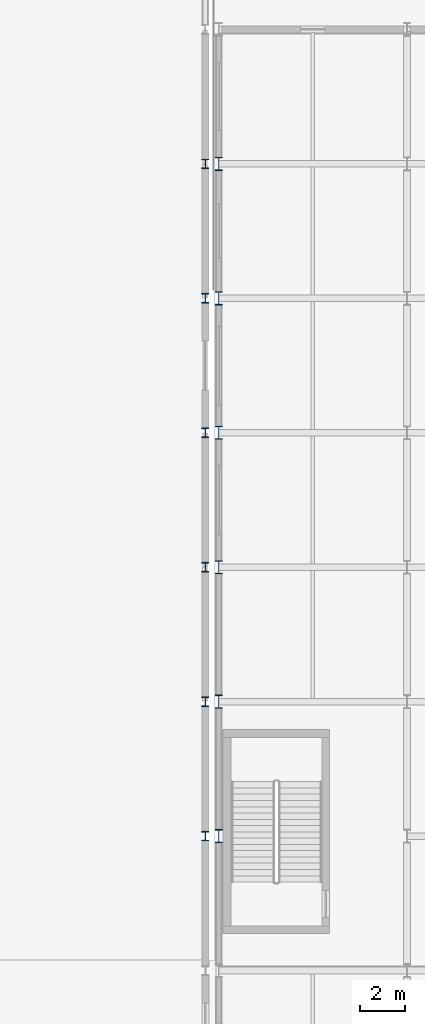
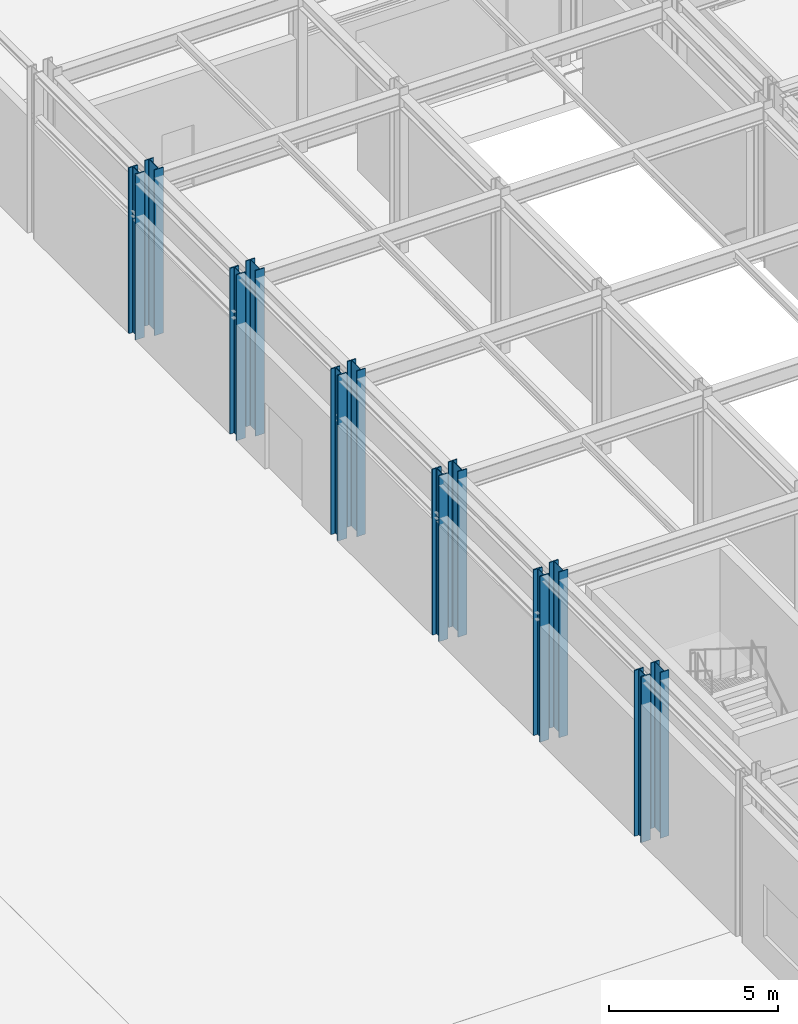
# One storey, part 11 of 146: 12 columns.
"""IFC4 building model written with IfcOpenShell, lengths in metres."""

import ifcopenshell
import ifcopenshell.guid

model = None  # the IFC model being written
_history = None  # IfcOwnerHistory: only IFC2X3 demands one
_inside = {}  # id of a spatial element -> (the spatial element, [elements in it])
_under = {}  # id of a project, library or spatial element -> (it, [spatial elements below it])
_declared = {}  # id of a project -> (the project, [libraries it declares])
_typed = {}  # id of a type object -> (the type object, [elements of that type])
_made_of = {}  # id of a material, layer set ... -> (it, [elements and type objects made of it])


def new_model(schema):
    """Start an empty IFC model of exactly this schema.

    Asked for "IFC4X3", IfcOpenShell would pick the latest addendum, in which some entities
    have other attributes; the version numbers below select the first issue.
    IFC2X3 requires an IfcOwnerHistory on every rooted entity: one is made here for all.
    """
    global model, _history
    if schema == "IFC4X3":
        model = ifcopenshell.file(schema_version=(4, 3, 0, 0))
    else:
        model = ifcopenshell.file(schema=schema)
    _inside.clear()
    _under.clear()
    _declared.clear()
    _typed.clear()
    _made_of.clear()
    _history = None
    if model.schema == "IFC2X3":
        org = make("IfcOrganization", Name="unknown")
        user = make(
            "IfcPersonAndOrganization",
            ThePerson=make("IfcPerson", FamilyName="unknown"),
            TheOrganization=org,
        )
        app = make(
            "IfcApplication",
            ApplicationDeveloper=org,
            Version="unknown",
            ApplicationFullName="unknown",
            ApplicationIdentifier="unknown",
        )
        _history = make(
            "IfcOwnerHistory",
            OwningUser=user,
            OwningApplication=app,
            ChangeAction="ADDED",
            CreationDate=0,
        )
    return model


def make(cls, **values):
    """One entity of the class cls with the attributes given. An attribute that is None is left unset."""
    return model.create_entity(
        cls, **{name: value for name, value in values.items() if value is not None}
    )


def rooted(cls, **values):
    """An entity with a GlobalId (a new one), such as an element, a storey or a relation."""
    return make(cls, GlobalId=ifcopenshell.guid.new(), OwnerHistory=_history, **values)


def si_unit(unit_type, name, prefix=None):
    """IfcSIUnit, for example si_unit("LENGTHUNIT", "METRE", prefix="MILLI")."""
    return make("IfcSIUnit", UnitType=unit_type, Prefix=prefix, Name=name)


def assignment(units):
    """IfcUnitAssignment: the units of a project."""
    return None if units is None else make("IfcUnitAssignment", Units=units)


def point(xyz):
    """IfcCartesianPoint."""
    return None if xyz is None else make("IfcCartesianPoint", Coordinates=xyz)


def direction(xyz):
    """IfcDirection."""
    return None if xyz is None else make("IfcDirection", DirectionRatios=xyz)


def frame(location, z_axis=None, x_axis=None):
    """IfcAxis2Placement3D, a coordinate frame: its origin and axes. An axis left out is left unset."""
    return make(
        "IfcAxis2Placement3D",
        Location=point(location),
        Axis=direction(z_axis),
        RefDirection=direction(x_axis),
    )


def frame_2d(location, x_axis=None):
    """IfcAxis2Placement2D, a coordinate frame in the plane: its origin and x axis."""
    return make(
        "IfcAxis2Placement2D", Location=point(location), RefDirection=direction(x_axis)
    )


def origin():
    """The frame at (0, 0, 0) with its axes left unset."""
    return frame((0.0, 0.0, 0.0))


def origin_2d():
    """The frame at (0, 0) in the plane with its x axis left unset."""
    return frame_2d((0.0, 0.0))


def place(relative_to, where):
    """IfcLocalPlacement: puts the frame where relative to a parent placement (None: the world)."""
    return make(
        "IfcLocalPlacement", PlacementRelTo=relative_to, RelativePlacement=where
    )


def context(
    kind, dimensions, precision=None, world=None, true_north=None, identifier=None
):
    """IfcGeometricRepresentationContext, for example the 3D "Model" context."""
    return make(
        "IfcGeometricRepresentationContext",
        ContextIdentifier=identifier,
        ContextType=kind,
        CoordinateSpaceDimension=dimensions,
        Precision=precision,
        WorldCoordinateSystem=world,
        TrueNorth=true_north,
    )


def subcontext(parent, identifier, kind, view, scale=None):
    """IfcGeometricRepresentationSubContext, for example "Body" below "Model"."""
    return make(
        "IfcGeometricRepresentationSubContext",
        ContextIdentifier=identifier,
        ContextType=kind,
        ParentContext=parent,
        TargetScale=scale,
        TargetView=view,
    )


def project(units=None, contexts=None):
    """IfcProject with its units and contexts."""
    return rooted(
        "IfcProject",
        Name="project",
        RepresentationContexts=contexts,
        UnitsInContext=assignment(units),
    )


def spatial(cls, under=None, at=None, **own):
    """A site, building, storey or space (cls), placed at a placement, below another one or the project."""
    s = rooted(cls, ObjectPlacement=at, **own)
    if under is not None:
        _under.setdefault(under.id(), (under, []))[1].append(s)
    return s


def profile(cls, at=None, kind="AREA", **sizes):
    """A parametric profile (cls). Its sizes go by their IFC names, for example OverallWidth=200.0."""
    return make(cls, ProfileType=kind, Position=at, **sizes)


def i_section(**sizes):
    """IfcIShapeProfileDef."""
    return profile("IfcIShapeProfileDef", **sizes)


def extrude(swept, where, along, depth):
    """IfcExtrudedAreaSolid: the profile swept, set in the frame where, extruded along a direction by depth."""
    return make(
        "IfcExtrudedAreaSolid",
        SweptArea=swept,
        Position=where,
        ExtrudedDirection=direction(along),
        Depth=depth,
    )


def shape(context_of_items, identifier, shape_type, items):
    """IfcShapeRepresentation: the items that make up one representation, for example the "Body"."""
    return make(
        "IfcShapeRepresentation",
        ContextOfItems=context_of_items,
        RepresentationIdentifier=identifier,
        RepresentationType=shape_type,
        Items=items,
    )


def material(Name=None, Category=None):
    """IfcMaterial."""
    return make("IfcMaterial", Name=Name, Category=Category)


def material_profile(
    of_material, cross_section, Name=None, Category=None, Priority=None
):
    """IfcMaterialProfile: a cross section and its material."""
    return make(
        "IfcMaterialProfile",
        Name=Name,
        Material=of_material,
        Profile=cross_section,
        Priority=Priority,
        Category=Category,
    )


def profile_set(profiles, Name=None, composite=None):
    """IfcMaterialProfileSet."""
    return make(
        "IfcMaterialProfileSet",
        Name=Name,
        MaterialProfiles=profiles,
        CompositeProfile=composite,
    )


def made_of(thing, what):
    """Note that an element or type object is made of a material, layer set ...; save() writes the relation."""
    if what is not None:
        _made_of.setdefault(what.id(), (what, []))[1].append(thing)
    return thing


def type_object(cls, material=None, **own):
    """A type object (cls), such as IfcWallType, which elements share."""
    return made_of(rooted(cls, **own), material)


def element(
    cls,
    number,
    at=None,
    inside=None,
    cuts=None,
    type_object=None,
    material=None,
    context=None,
    identifier="Body",
    shape_type=None,
    held_by="IfcProductDefinitionShape",
    body=None,
    shapes=None,
    **own,
):
    """One element of the class cls, such as IfcWall. Its Tag is "e" and its number.

    at: its placement. inside: the storey or other place that contains it. cuts: it is an
    opening in that element (IfcRelVoidsElement). A single representation is given by context,
    identifier, shape_type and body (its items); several are given by shapes. held_by: the class
    of the entity that holds the representations. save() writes the other relations.
    """
    e = rooted(cls, Tag="e%d" % number, ObjectPlacement=at, **own)
    if body is not None:
        shapes = [shape(context, identifier, shape_type, body)]
    if shapes is not None:
        e.Representation = make(held_by, Representations=shapes)
    if inside is not None:
        _inside.setdefault(inside.id(), (inside, []))[1].append(e)
    if cuts is not None:
        rooted(
            "IfcRelVoidsElement", RelatingBuildingElement=cuts, RelatedOpeningElement=e
        )
    if type_object is not None:
        _typed.setdefault(type_object.id(), (type_object, []))[1].append(e)
    return made_of(e, material)


def aggregate(whole, parts):
    """IfcRelAggregates: a whole, such as a stair, and the parts it consists of."""
    return rooted("IfcRelAggregates", RelatingObject=whole, RelatedObjects=parts)


def save(model, path):
    """Write the relations noted so far, then the file.

    IfcRelAggregates (storeys below a building ...), IfcRelContainedInSpatialStructure (elements
    in a storey), IfcRelDefinesByType, IfcRelAssociatesMaterial and IfcRelDeclares: one each for
    every whole, place, type object, material and project.
    """
    for whole, parts in _under.values():
        aggregate(whole, parts)
    for where, things in _inside.values():
        rooted(
            "IfcRelContainedInSpatialStructure",
            RelatedElements=things,
            RelatingStructure=where,
        )
    for kind, things in _typed.values():
        rooted("IfcRelDefinesByType", RelatedObjects=things, RelatingType=kind)
    for what, things in _made_of.values():
        rooted("IfcRelAssociatesMaterial", RelatedObjects=things, RelatingMaterial=what)
    for by, libraries in _declared.values():
        rooted("IfcRelDeclares", RelatingContext=by, RelatedDefinitions=libraries)
    model.write(path)


model = new_model("IFC4")

# Units and contexts
model_context = context("Model", 3, precision=1e-05, world=origin(), true_north=direction((0.0, 1.0)))
body_context = subcontext(model_context, "Body", "Model", "MODEL_VIEW")
ifc_project = project(units=[si_unit("LENGTHUNIT", "METRE"), si_unit("AREAUNIT", "SQUARE_METRE"), si_unit("VOLUMEUNIT", "CUBIC_METRE"), si_unit("PLANEANGLEUNIT", "RADIAN"), si_unit("MASSUNIT", "GRAM", prefix="KILO")], contexts=[model_context])

# Site, building, storey
site_placement = place(None, origin())
site = spatial("IfcSite", under=ifc_project, at=site_placement, CompositionType="ELEMENT")
building_placement = place(site_placement, origin())
building = spatial("IfcBuilding", under=site, at=building_placement, Name="Kaldris Quays Convention Centre", CompositionType="ELEMENT")
storey_placement = place(building_placement, origin())
storey = spatial("IfcBuildingStorey", under=building, at=storey_placement, Name="L00", CompositionType="ELEMENT", Elevation=0.0)

# Columns
ifc_material_1 = material(Name="Steel S460ML", Category="steel")
ifc_material_profile_1 = material_profile(ifc_material_1, i_section(OverallWidth=0.306884765625, OverallDepth=0.431884765625, WebThickness=0.02099609375, FlangeThickness=0.0400390625, FilletRadius=0.027099609375, at=origin_2d()), Name="HEM 400")
ifc_profile_set_1 = profile_set([ifc_material_profile_1], Name="Steel S460ML")
column_type_1 = type_object("IfcColumnType", Name="STRUCTURAL COLUMN CL01", PredefinedType="COLUMN", material=ifc_profile_set_1)
for number, where, z_axis, x_axis, name in (
    (1, (146.0, 80.0, 0.0), (0.0, 0.0, 1.0), (1.0, 0.0, 0.0), "L00 V1 Column CL01 (146.00, 80.00)"),
    (2, (146.0, 86.0, 0.0), (0.0, 0.0, 1.0), (1.0, 0.0, 0.0), "L00 V1 Column CL01 (146.00, 86.00)"),
    (3, (146.0, 92.0, 0.0), (0.0, 0.0, 1.0), (1.0, 0.0, 0.0), "L00 V1 Column CL01 (146.00, 92.00)"),
    (4, (146.0, 98.0, 0.0), (0.0, 0.0, 1.0), (1.0, 0.0, 0.0), "L00 V1 Column CL01 (146.00, 98.00)"),
    (5, (146.0, 104.0, 0.0), (0.0, 0.0, 1.0), (1.0, 0.0, 0.0), "L00 V1 Column CL01 (146.00, 104.00)"),
    (6, (146.0, 110.0, 0.0), (0.0, 0.0, 1.0), (1.0, 0.0, 0.0), "L00 V1 Column CL01 (146.00, 110.00)"),
):
    element("IfcColumn", number, at=place(storey_placement, frame(where, z_axis=z_axis, x_axis=x_axis)), inside=storey, type_object=column_type_1, Name=name, PredefinedType="COLUMN", context=body_context, shape_type="SweptSolid", body=[
        extrude(i_section(OverallWidth=0.306884765625, OverallDepth=0.431884765625, WebThickness=0.02099609375, FlangeThickness=0.0400390625, FilletRadius=0.027099609375, at=origin_2d()), origin(), (0.0, 0.0, 1.0), 6.0),
    ])
ifc_material_2 = material(Name="Steel S355J2", Category="steel")
ifc_material_profile_2 = material_profile(ifc_material_2, i_section(OverallWidth=0.300048828125, OverallDepth=0.60009765625, WebThickness=0.015380859375, FlangeThickness=0.030029296875, FilletRadius=0.027099609375, at=origin_2d()), Name="HEB 600")
ifc_profile_set_2 = profile_set([ifc_material_profile_2], Name="Steel S355J2")
column_type_2 = type_object("IfcColumnType", Name="STRUCTURAL COLUMN CL06", PredefinedType="COLUMN", material=ifc_profile_set_2)
for number, where, z_axis, x_axis, name in (
    (7, (146.60009765625, 80.0, 0.0), (0.0, 0.0, 1.0), (1.0, 0.0, 0.0), "L00 V4 Column CL06 (146.60, 80.00)"),
    (8, (146.60009765625, 86.0, 0.0), (0.0, 0.0, 1.0), (1.0, 0.0, 0.0), "L00 V4 Column CL06 (146.60, 86.00)"),
    (9, (146.60009765625, 92.0, 0.0), (0.0, 0.0, 1.0), (1.0, 0.0, 0.0), "L00 V4 Column CL06 (146.60, 92.00)"),
    (10, (146.60009765625, 98.0, 0.0), (0.0, 0.0, 1.0), (1.0, 0.0, 0.0), "L00 V4 Column CL06 (146.60, 98.00)"),
    (11, (146.60009765625, 104.0, 0.0), (0.0, 0.0, 1.0), (1.0, 0.0, 0.0), "L00 V4 Column CL06 (146.60, 104.00)"),
    (12, (146.60009765625, 110.0, 0.0), (0.0, 0.0, 1.0), (1.0, 0.0, 0.0), "L00 V4 Column CL06 (146.60, 110.00)"),
):
    element("IfcColumn", number, at=place(storey_placement, frame(where, z_axis=z_axis, x_axis=x_axis)), inside=storey, type_object=column_type_2, Name=name, PredefinedType="COLUMN", context=body_context, shape_type="SweptSolid", body=[
        extrude(i_section(OverallWidth=0.300048828125, OverallDepth=0.60009765625, WebThickness=0.015380859375, FlangeThickness=0.030029296875, FilletRadius=0.027099609375, at=origin_2d()), origin(), (0.0, 0.0, 1.0), 6.0),
    ])

save(model, "model.ifc")
